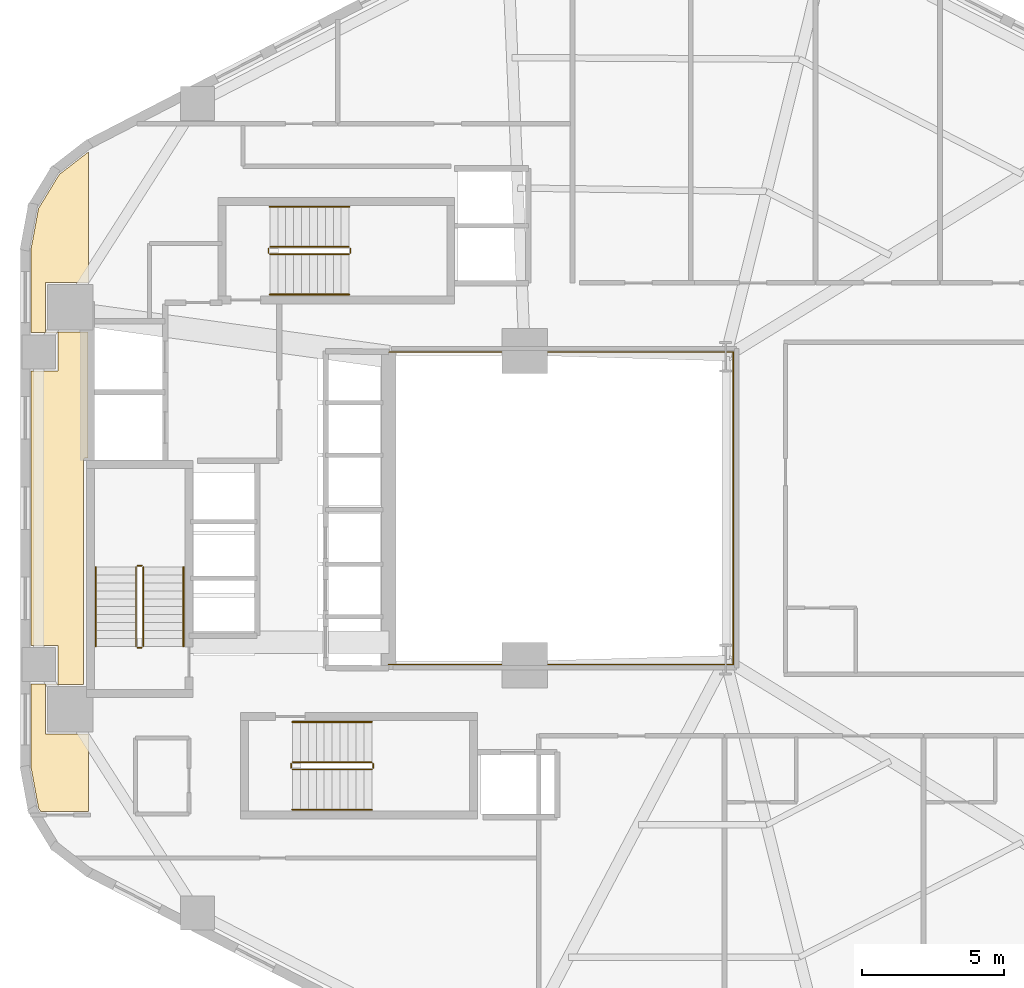
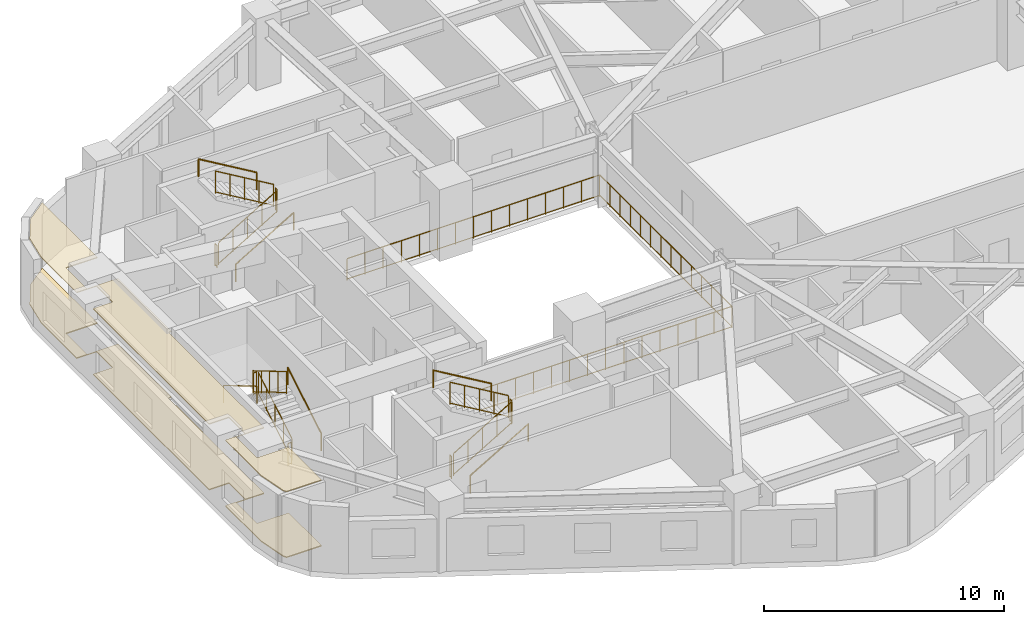
# One storey, part 7 of 7: 19 railings, 2 coverings.
"""IFC4 building model written with IfcOpenShell, lengths in metres."""

from ifc_helpers import new_model, si_unit, direction, frame, origin, origin_2d, place, context, subcontext, project, spatial, polyline, circle, outline, extrude, material, layer, layer_set, type_object, element, save


model = new_model("IFC4")

# Units and contexts
model_context = context("Model", 3, precision=1e-05, world=origin(), true_north=direction((0.0, 1.0)))
body_context = subcontext(model_context, "Body", "Model", "MODEL_VIEW")
ifc_project = project(units=[si_unit("LENGTHUNIT", "METRE"), si_unit("AREAUNIT", "SQUARE_METRE"), si_unit("VOLUMEUNIT", "CUBIC_METRE"), si_unit("PLANEANGLEUNIT", "RADIAN"), si_unit("MASSUNIT", "GRAM", prefix="KILO"), si_unit("THERMODYNAMICTEMPERATUREUNIT", "KELVIN"), si_unit("POWERUNIT", "WATT")], contexts=[model_context])

# Site, building, storey
site_placement = place(None, origin())
site = spatial("IfcSite", under=ifc_project, at=site_placement, CompositionType="ELEMENT")
building_placement = place(site_placement, origin())
building = spatial("IfcBuilding", under=site, at=building_placement, Name="Skarre Station Tower", CompositionType="ELEMENT")
storey_placement = place(building_placement, frame((0.0, 0.0, 85.39990234375)))
storey = spatial("IfcBuildingStorey", under=building, at=storey_placement, Name="L22", CompositionType="ELEMENT", Elevation=85.39990234375)

# Railing
ifc_material_1 = material(Name="Bronze Anodized Steel & Laminated Glass Balustrade", Category="steel")
railing_type_1 = type_object("IfcRailingType", Name="Atrium Void & Mezzanine Guard Balustrade 1120", PredefinedType="GUARDRAIL", material=ifc_material_1)
railing_1_placement = place(storey_placement, frame((27.550048828125, 18.47998046875, 0.0)))
element("IfcRailing", 1, at=railing_1_placement, inside=storey, type_object=railing_type_1, Name="L22 Atrium Void Guard Balustrade", PredefinedType="GUARDRAIL", context=body_context, shape_type="SweptSolid", body=[
    extrude(circle(Radius=0.02392578125, at=origin_2d()), frame((0.0, 0.0, 1.09619140625), z_axis=(1.0, 0.0, 0.0), x_axis=(0.0, 1.0, 0.0)), (0.0, 0.0, 1.0), 12.169921875),
    extrude(circle(Radius=0.02099609375, at=origin_2d()), frame((0.0, 0.0, 0.06005859375), z_axis=(1.0, 0.0, 0.0), x_axis=(0.0, 1.0, 0.0)), (0.0, 0.0, 1.0), 12.169921875),
    extrude(circle(Radius=0.02392578125, at=origin_2d()), frame((12.169921875, 0.0, 1.09619140625), z_axis=(0.0, 1.0, 0.0), x_axis=(-1.0, 0.0, 0.0)), (0.0, 0.0, 1.0), 11.0400390625),
    extrude(circle(Radius=0.02099609375, at=origin_2d()), frame((12.169921875, 0.0, 0.06005859375), z_axis=(0.0, 1.0, 0.0), x_axis=(-1.0, 0.0, 0.0)), (0.0, 0.0, 1.0), 11.0400390625),
    extrude(circle(Radius=0.02392578125, at=origin_2d()), frame((12.169921875, 11.0400390625, 1.09619140625), z_axis=(-1.0, 0.0, 0.0), x_axis=(0.0, -1.0, 0.0)), (0.0, 0.0, 1.0), 12.169921875),
    extrude(circle(Radius=0.02099609375, at=origin_2d()), frame((12.169921875, 11.0400390625, 0.06005859375), z_axis=(-1.0, 0.0, 0.0), x_axis=(0.0, -1.0, 0.0)), (0.0, 0.0, 1.0), 12.169921875),
    extrude(circle(Radius=0.02099609375, at=origin_2d()), origin(), (0.0, 0.0, 1.0), 1.072021484375),
    extrude(circle(Radius=0.02099609375, at=origin_2d()), frame((0.869384765625, 0.0, 0.0)), (0.0, 0.0, 1.0), 1.072021484375),
    extrude(circle(Radius=0.02099609375, at=origin_2d()), frame((1.738525390625, 0.0, 0.0)), (0.0, 0.0, 1.0), 1.072021484375),
    extrude(circle(Radius=0.02099609375, at=origin_2d()), frame((2.60791015625, 0.0, 0.0)), (0.0, 0.0, 1.0), 1.072021484375),
    extrude(circle(Radius=0.02099609375, at=origin_2d()), frame((3.47705078125, 0.0, 0.0)), (0.0, 0.0, 1.0), 1.072021484375),
    extrude(circle(Radius=0.02099609375, at=origin_2d()), frame((4.346435546875, 0.0, 0.0)), (0.0, 0.0, 1.0), 1.072021484375),
    extrude(circle(Radius=0.02099609375, at=origin_2d()), frame((5.215576171875, 0.0, 0.0)), (0.0, 0.0, 1.0), 1.072021484375),
    extrude(circle(Radius=0.02099609375, at=origin_2d()), frame((6.0849609375, 0.0, 0.0)), (0.0, 0.0, 1.0), 1.072021484375),
    extrude(circle(Radius=0.02099609375, at=origin_2d()), frame((6.954345703125, 0.0, 0.0)), (0.0, 0.0, 1.0), 1.072021484375),
    extrude(circle(Radius=0.02099609375, at=origin_2d()), frame((7.823486328125, 0.0, 0.0)), (0.0, 0.0, 1.0), 1.072021484375),
    extrude(circle(Radius=0.02099609375, at=origin_2d()), frame((8.69287109375, 0.0, 0.0)), (0.0, 0.0, 1.0), 1.072021484375),
    extrude(circle(Radius=0.02099609375, at=origin_2d()), frame((9.56201171875, 0.0, 0.0)), (0.0, 0.0, 1.0), 1.072021484375),
    extrude(circle(Radius=0.02099609375, at=origin_2d()), frame((10.431396484375, 0.0, 0.0)), (0.0, 0.0, 1.0), 1.072021484375),
    extrude(circle(Radius=0.02099609375, at=origin_2d()), frame((11.300537109375, 0.0, 0.0)), (0.0, 0.0, 1.0), 1.072021484375),
    extrude(circle(Radius=0.02099609375, at=origin_2d()), frame((12.169921875, 0.0, 0.0)), (0.0, 0.0, 1.0), 1.072021484375),
    extrude(circle(Radius=0.02099609375, at=origin_2d()), frame((12.169921875, 0.84912109375, 0.0)), (0.0, 0.0, 1.0), 1.072021484375),
    extrude(circle(Radius=0.02099609375, at=origin_2d()), frame((12.169921875, 1.698486328125, 0.0)), (0.0, 0.0, 1.0), 1.072021484375),
    extrude(circle(Radius=0.02099609375, at=origin_2d()), frame((12.169921875, 2.547607421875, 0.0)), (0.0, 0.0, 1.0), 1.072021484375),
    extrude(circle(Radius=0.02099609375, at=origin_2d()), frame((12.169921875, 3.39697265625, 0.0)), (0.0, 0.0, 1.0), 1.072021484375),
    extrude(circle(Radius=0.02099609375, at=origin_2d()), frame((12.169921875, 4.24609375, 0.0)), (0.0, 0.0, 1.0), 1.072021484375),
    extrude(circle(Radius=0.02099609375, at=origin_2d()), frame((12.169921875, 5.095458984375, 0.0)), (0.0, 0.0, 1.0), 1.072021484375),
    extrude(circle(Radius=0.02099609375, at=origin_2d()), frame((12.169921875, 5.944580078125, 0.0)), (0.0, 0.0, 1.0), 1.072021484375),
    extrude(circle(Radius=0.02099609375, at=origin_2d()), frame((12.169921875, 6.7939453125, 0.0)), (0.0, 0.0, 1.0), 1.072021484375),
    extrude(circle(Radius=0.02099609375, at=origin_2d()), frame((12.169921875, 7.64306640625, 0.0)), (0.0, 0.0, 1.0), 1.072021484375),
    extrude(circle(Radius=0.02099609375, at=origin_2d()), frame((12.169921875, 8.492431640625, 0.0)), (0.0, 0.0, 1.0), 1.072021484375),
    extrude(circle(Radius=0.02099609375, at=origin_2d()), frame((12.169921875, 9.341552734375, 0.0)), (0.0, 0.0, 1.0), 1.072021484375),
    extrude(circle(Radius=0.02099609375, at=origin_2d()), frame((12.169921875, 10.19091796875, 0.0)), (0.0, 0.0, 1.0), 1.072021484375),
    extrude(circle(Radius=0.02099609375, at=origin_2d()), frame((12.169921875, 11.0400390625, 0.0)), (0.0, 0.0, 1.0), 1.072021484375),
    extrude(circle(Radius=0.02099609375, at=origin_2d()), frame((11.300537109375, 11.0400390625, 0.0)), (0.0, 0.0, 1.0), 1.072021484375),
    extrude(circle(Radius=0.02099609375, at=origin_2d()), frame((10.431396484375, 11.0400390625, 0.0)), (0.0, 0.0, 1.0), 1.072021484375),
    extrude(circle(Radius=0.02099609375, at=origin_2d()), frame((9.56201171875, 11.0400390625, 0.0)), (0.0, 0.0, 1.0), 1.072021484375),
    extrude(circle(Radius=0.02099609375, at=origin_2d()), frame((8.69287109375, 11.0400390625, 0.0)), (0.0, 0.0, 1.0), 1.072021484375),
    extrude(circle(Radius=0.02099609375, at=origin_2d()), frame((7.823486328125, 11.0400390625, 0.0)), (0.0, 0.0, 1.0), 1.072021484375),
    extrude(circle(Radius=0.02099609375, at=origin_2d()), frame((6.954345703125, 11.0400390625, 0.0)), (0.0, 0.0, 1.0), 1.072021484375),
    extrude(circle(Radius=0.02099609375, at=origin_2d()), frame((6.0849609375, 11.0400390625, 0.0)), (0.0, 0.0, 1.0), 1.072021484375),
    extrude(circle(Radius=0.02099609375, at=origin_2d()), frame((5.215576171875, 11.0400390625, 0.0)), (0.0, 0.0, 1.0), 1.072021484375),
    extrude(circle(Radius=0.02099609375, at=origin_2d()), frame((4.346435546875, 11.0400390625, 0.0)), (0.0, 0.0, 1.0), 1.072021484375),
    extrude(circle(Radius=0.02099609375, at=origin_2d()), frame((3.47705078125, 11.0400390625, 0.0)), (0.0, 0.0, 1.0), 1.072021484375),
    extrude(circle(Radius=0.02099609375, at=origin_2d()), frame((2.60791015625, 11.0400390625, 0.0)), (0.0, 0.0, 1.0), 1.072021484375),
    extrude(circle(Radius=0.02099609375, at=origin_2d()), frame((1.738525390625, 11.0400390625, 0.0)), (0.0, 0.0, 1.0), 1.072021484375),
    extrude(circle(Radius=0.02099609375, at=origin_2d()), frame((0.869384765625, 11.0400390625, 0.0)), (0.0, 0.0, 1.0), 1.072021484375),
    extrude(circle(Radius=0.02099609375, at=origin_2d()), frame((0.0, 11.0400390625, 0.0)), (0.0, 0.0, 1.0), 1.072021484375),
])

# Coverings
ifc_material_2 = material(Name="Honed Jura Limestone & Calcium-Sulfate Access Tile", Category="masonry")
ifc_layer_1 = layer(ifc_material_2, 0.050048828125, Name="Honed Jura Limestone & Calcium-Sulfate Access Tile")
ifc_layer_set_1 = layer_set([ifc_layer_1], Name="Honed Jura Limestone & Calcium-Sulfate Access Tile")
covering_type_1 = type_object("IfcCoveringType", Name="Honed Limestone & Raised Access Floor Finish 50", PredefinedType="FLOORING", material=ifc_layer_set_1)
covering_1_placement = place(storey_placement, origin())
element("IfcCovering", 2, at=covering_1_placement, inside=storey, type_object=covering_type_1, Name="L22 Limestone Access Flooring 1", PredefinedType="FLOORING", context=body_context, shape_type="SweptSolid", body=[
    extrude(outline(polyline([(16.93994140625, 36.583984375), (15.910888671875, 35.787109375), (15.178955078125, 34.5859375), (14.9169921875, 33.1669921875), (14.9169921875, 30.200927734375), (15.866943359375, 30.200927734375), (15.866943359375, 28.841064453125), (14.9169921875, 28.841064453125), (14.9169921875, 19.158935546875), (15.866943359375, 19.158935546875), (15.866943359375, 17.799072265625), (14.9169921875, 17.799072265625), (14.9169921875, 14.8330078125), (15.178955078125, 13.4140625), (15.260986328125, 13.280029296875), (16.93994140625, 13.280029296875), (16.93994140625, 16.02001953125), (15.419921875, 16.02001953125), (15.419921875, 17.780029296875), (16.77001953125, 17.780029296875), (16.77001953125, 25.699951171875), (16.77001953125, 25.7080078125), (16.77197265625, 25.716064453125), (16.77294921875, 25.722900390625), (16.77587890625, 25.73095703125), (16.779052734375, 25.738037109375), (16.782958984375, 25.743896484375), (16.7880859375, 25.7509765625), (16.79296875, 25.757080078125), (16.799072265625, 25.761962890625), (16.805908203125, 25.76708984375), (16.81201171875, 25.77099609375), (16.819091796875, 25.77392578125), (16.826904296875, 25.777099609375), (16.833984375, 25.778076171875), (16.842041015625, 25.780029296875), (16.85009765625, 25.780029296875), (16.919921875, 25.780029296875), (16.919921875, 30.219970703125), (15.419921875, 30.219970703125), (15.419921875, 31.97998046875), (16.93994140625, 31.97998046875), (16.93994140625, 36.583984375)])), origin(), (0.0, 0.0, 1.0), 0.050048828125),
])
ifc_material_3 = material(Name="Perforated Nordic Birch Veneer & Mineral Wool", Category="wood")
ifc_layer_2 = layer(ifc_material_3, 0.044921875, Name="Perforated Nordic Birch Veneer & Mineral Wool")
ifc_layer_set_2 = layer_set([ifc_layer_2], Name="Perforated Nordic Birch Veneer & Mineral Wool")
covering_type_2 = type_object("IfcCoveringType", Name="Nordic Birch Slatted Acoustic Suspended Ceiling 45", PredefinedType="CEILING", material=ifc_layer_set_2)
covering_2_placement = place(storey_placement, frame((0.0, 0.0, 3.34521484375)))
element("IfcCovering", 3, at=covering_2_placement, inside=storey, type_object=covering_type_2, Name="L22 Acoustic Birch Ceiling 1", PredefinedType="CEILING", context=body_context, shape_type="SweptSolid", body=[
    extrude(outline(polyline([(16.93994140625, 36.583984375), (15.910888671875, 35.787109375), (15.178955078125, 34.5859375), (14.9169921875, 33.1669921875), (14.9169921875, 30.200927734375), (15.866943359375, 30.200927734375), (15.866943359375, 28.841064453125), (14.9169921875, 28.841064453125), (14.9169921875, 19.158935546875), (15.866943359375, 19.158935546875), (15.866943359375, 17.799072265625), (14.9169921875, 17.799072265625), (14.9169921875, 14.8330078125), (15.178955078125, 13.4140625), (15.260986328125, 13.280029296875), (16.93994140625, 13.280029296875), (16.93994140625, 16.02001953125), (15.419921875, 16.02001953125), (15.419921875, 17.780029296875), (16.77001953125, 17.780029296875), (16.77001953125, 25.699951171875), (16.77001953125, 25.7080078125), (16.77197265625, 25.716064453125), (16.77294921875, 25.722900390625), (16.77587890625, 25.73095703125), (16.779052734375, 25.738037109375), (16.782958984375, 25.743896484375), (16.7880859375, 25.7509765625), (16.79296875, 25.757080078125), (16.799072265625, 25.761962890625), (16.805908203125, 25.76708984375), (16.81201171875, 25.77099609375), (16.819091796875, 25.77392578125), (16.826904296875, 25.777099609375), (16.833984375, 25.778076171875), (16.842041015625, 25.780029296875), (16.85009765625, 25.780029296875), (16.919921875, 25.780029296875), (16.919921875, 30.219970703125), (15.419921875, 30.219970703125), (15.419921875, 31.97998046875), (16.93994140625, 31.97998046875), (16.93994140625, 36.583984375)])), origin(), (0.0, 0.0, 1.0), 0.044921875),
])

# Railings
ifc_material_4 = material(Name="Powder-Coated Tubular Steel", Category="steel")
railing_type_2 = type_object("IfcRailingType", Name="Painted Steel Ramp & Stair Handrail 920", PredefinedType="HANDRAIL", material=ifc_material_4)
railing_2_placement = place(storey_placement, frame((20.300048828125, 19.1201171875, 0.166015625)))
element("IfcRailing", 4, at=railing_2_placement, inside=storey, type_object=railing_type_2, Name="L22 ST-1 stair handrail 1", PredefinedType="HANDRAIL", context=body_context, shape_type="SweptSolid", body=[
    extrude(circle(Radius=0.02392578125, at=origin_2d()), frame((0.0, 0.0, 0.8759765625), z_axis=(0.0, 0.860286659441, 0.509810615413), x_axis=(-1.0, 0.0, 0.0)), (0.0, 0.0, 1.0), 3.25439453125),
    extrude(circle(Radius=0.02099609375, at=origin_2d()), origin(), (0.0, 0.0, 1.0), 0.851806640625),
    extrude(circle(Radius=0.02099609375, at=origin_2d()), frame((0.0, 2.7998046875, 1.6591796875)), (0.0, 0.0, 1.0), 0.851806640625),
])
railing_3_placement = place(storey_placement, frame((17.199951171875, 21.919921875, 1.990966796875)))
element("IfcRailing", 5, at=railing_3_placement, inside=storey, type_object=railing_type_2, Name="L22 ST-1 stair handrail 2", PredefinedType="HANDRAIL", context=body_context, shape_type="SweptSolid", body=[
    extrude(circle(Radius=0.02392578125, at=origin_2d()), frame((0.0, 0.0, 0.8759765625), z_axis=(0.0, -0.860286659441, 0.509810615413), x_axis=(1.0, 0.0, 0.0)), (0.0, 0.0, 1.0), 3.25439453125),
    extrude(circle(Radius=0.02099609375, at=origin_2d()), origin(), (0.0, 0.0, 1.0), 0.851806640625),
    extrude(circle(Radius=0.02099609375, at=origin_2d()), frame((0.0, -2.7998046875, 1.6591796875)), (0.0, 0.0, 1.0), 0.851806640625),
])
railing_4_placement = place(storey_placement, frame((24.14990234375, 13.35009765625, 0.166015625)))
element("IfcRailing", 6, at=railing_4_placement, inside=storey, type_object=railing_type_2, Name="L22 ST-2 stair handrail 1", PredefinedType="HANDRAIL", context=body_context, shape_type="SweptSolid", body=[
    extrude(circle(Radius=0.02392578125, at=origin_2d()), frame((0.0, 0.0, 0.8759765625), z_axis=(0.860306154799, 0.0, 0.50977771628), x_axis=(0.0, 1.0, 0.0)), (0.0, 0.0, 1.0), 3.254638671875),
    extrude(circle(Radius=0.02099609375, at=origin_2d()), origin(), (0.0, 0.0, 1.0), 0.851806640625),
    extrude(circle(Radius=0.02099609375, at=origin_2d()), frame((2.800048828125, 0.0, 1.6591796875)), (0.0, 0.0, 1.0), 0.851806640625),
])
railing_5_placement = place(storey_placement, frame((26.949951171875, 16.449951171875, 1.990966796875)))
element("IfcRailing", 7, at=railing_5_placement, inside=storey, type_object=railing_type_2, Name="L22 ST-2 stair handrail 2", PredefinedType="HANDRAIL", context=body_context, shape_type="SweptSolid", body=[
    extrude(circle(Radius=0.02392578125, at=origin_2d()), frame((0.0, 0.0, 0.8759765625), z_axis=(-0.860306154799, 0.0, 0.50977771628), x_axis=(0.0, -1.0, 0.0)), (0.0, 0.0, 1.0), 3.254638671875),
    extrude(circle(Radius=0.02099609375, at=origin_2d()), origin(), (0.0, 0.0, 1.0), 0.851806640625),
    extrude(circle(Radius=0.02099609375, at=origin_2d()), frame((-2.800048828125, 0.0, 1.6591796875)), (0.0, 0.0, 1.0), 0.851806640625),
])
railing_6_placement = place(storey_placement, frame((23.35009765625, 31.550048828125, 0.166015625)))
element("IfcRailing", 8, at=railing_6_placement, inside=storey, type_object=railing_type_2, Name="L22 ST-3 stair handrail 1", PredefinedType="HANDRAIL", context=body_context, shape_type="SweptSolid", body=[
    extrude(circle(Radius=0.02392578125, at=origin_2d()), frame((0.0, 0.0, 0.8759765625), z_axis=(0.860286659441, 0.0, 0.509810615413), x_axis=(0.0, 1.0, 0.0)), (0.0, 0.0, 1.0), 3.25439453125),
    extrude(circle(Radius=0.02099609375, at=origin_2d()), origin(), (0.0, 0.0, 1.0), 0.851806640625),
    extrude(circle(Radius=0.02099609375, at=origin_2d()), frame((2.7998046875, 0.0, 1.6591796875)), (0.0, 0.0, 1.0), 0.851806640625),
])
railing_7_placement = place(storey_placement, frame((26.14990234375, 34.64990234375, 1.990966796875)))
element("IfcRailing", 9, at=railing_7_placement, inside=storey, type_object=railing_type_2, Name="L22 ST-3 stair handrail 2", PredefinedType="HANDRAIL", context=body_context, shape_type="SweptSolid", body=[
    extrude(circle(Radius=0.02392578125, at=origin_2d()), frame((0.0, 0.0, 0.8759765625), z_axis=(-0.860286659441, 0.0, 0.509810615413), x_axis=(0.0, -1.0, 0.0)), (0.0, 0.0, 1.0), 3.25439453125),
    extrude(circle(Radius=0.02099609375, at=origin_2d()), origin(), (0.0, 0.0, 1.0), 0.851806640625),
    extrude(circle(Radius=0.02099609375, at=origin_2d()), frame((-2.7998046875, 0.0, 1.6591796875)), (0.0, 0.0, 1.0), 0.851806640625),
])
railing_type_3 = type_object("IfcRailingType", Name="Painted Steel Stairwell Guardrail 1100", PredefinedType="GUARDRAIL", material=ifc_material_4)
railing_8_placement = place(storey_placement, frame((18.8798828125, 19.1201171875, 0.166015625)))
element("IfcRailing", 10, at=railing_8_placement, inside=storey, type_object=railing_type_3, Name="L22 ST-1 stair guard 1", PredefinedType="GUARDRAIL", context=body_context, shape_type="SweptSolid", body=[
    extrude(circle(Radius=0.02392578125, at=origin_2d()), frame((0.0, 0.0, 1.1259765625), z_axis=(0.0, 0.860286659441, 0.509810615413), x_axis=(-1.0, 0.0, 0.0)), (0.0, 0.0, 1.0), 3.25439453125),
    extrude(circle(Radius=0.02099609375, at=origin_2d()), frame((0.0, 0.0, 0.06005859375), z_axis=(0.0, 0.860286659441, 0.509810615413), x_axis=(-1.0, 0.0, 0.0)), (0.0, 0.0, 1.0), 3.25439453125),
    extrude(circle(Radius=0.02099609375, at=origin_2d()), origin(), (0.0, 0.0, 1.0), 1.101806640625),
    extrude(circle(Radius=0.02099609375, at=origin_2d()), frame((0.0, 0.699951171875, 0.414794921875)), (0.0, 0.0, 1.0), 1.101806640625),
    extrude(circle(Radius=0.02099609375, at=origin_2d()), frame((0.0, 1.39990234375, 0.82958984375)), (0.0, 0.0, 1.0), 1.101806640625),
    extrude(circle(Radius=0.02099609375, at=origin_2d()), frame((0.0, 2.099853515625, 1.244384765625)), (0.0, 0.0, 1.0), 1.101806640625),
    extrude(circle(Radius=0.02099609375, at=origin_2d()), frame((0.0, 2.7998046875, 1.6591796875)), (0.0, 0.0, 1.0), 1.101806640625),
])
railing_9_placement = place(storey_placement, frame((18.830078125, 21.969970703125, 1.8251953125)))
element("IfcRailing", 11, at=railing_9_placement, inside=storey, type_object=railing_type_3, Name="L22 ST-1 stair guard 2", PredefinedType="GUARDRAIL", context=body_context, shape_type="SweptSolid", body=[
    extrude(circle(Radius=0.02392578125, at=origin_2d()), frame((0.0, 0.0, 1.1259765625), z_axis=(-1.0, 0.0, 0.0), x_axis=(0.0, -1.0, 0.0)), (0.0, 0.0, 1.0), 0.16015625),
    extrude(circle(Radius=0.02099609375, at=origin_2d()), frame((0.0, 0.0, 0.06005859375), z_axis=(-1.0, 0.0, 0.0), x_axis=(0.0, -1.0, 0.0)), (0.0, 0.0, 1.0), 0.16015625),
    extrude(circle(Radius=0.02099609375, at=origin_2d()), origin(), (0.0, 0.0, 1.0), 1.101806640625),
    extrude(circle(Radius=0.02099609375, at=origin_2d()), frame((-0.16015625, 0.0, 0.0)), (0.0, 0.0, 1.0), 1.101806640625),
])
railing_10_placement = place(storey_placement, frame((18.6201171875, 21.919921875, 1.990966796875)))
element("IfcRailing", 12, at=railing_10_placement, inside=storey, type_object=railing_type_3, Name="L22 ST-1 stair guard 3", PredefinedType="GUARDRAIL", context=body_context, shape_type="SweptSolid", body=[
    extrude(circle(Radius=0.02392578125, at=origin_2d()), frame((0.0, 0.0, 1.1259765625), z_axis=(0.0, -0.860286659441, 0.509810615413), x_axis=(1.0, 0.0, 0.0)), (0.0, 0.0, 1.0), 3.25439453125),
    extrude(circle(Radius=0.02099609375, at=origin_2d()), frame((0.0, 0.0, 0.06005859375), z_axis=(0.0, -0.860286659441, 0.509810615413), x_axis=(1.0, 0.0, 0.0)), (0.0, 0.0, 1.0), 3.25439453125),
    extrude(circle(Radius=0.02099609375, at=origin_2d()), origin(), (0.0, 0.0, 1.0), 1.101806640625),
    extrude(circle(Radius=0.02099609375, at=origin_2d()), frame((0.0, -0.699951171875, 0.414794921875)), (0.0, 0.0, 1.0), 1.101806640625),
    extrude(circle(Radius=0.02099609375, at=origin_2d()), frame((0.0, -1.39990234375, 0.82958984375)), (0.0, 0.0, 1.0), 1.101806640625),
    extrude(circle(Radius=0.02099609375, at=origin_2d()), frame((0.0, -2.099853515625, 1.244384765625)), (0.0, 0.0, 1.0), 1.101806640625),
    extrude(circle(Radius=0.02099609375, at=origin_2d()), frame((0.0, -2.7998046875, 1.6591796875)), (0.0, 0.0, 1.0), 1.101806640625),
])
railing_11_placement = place(storey_placement, frame((18.830078125, 19.070068359375, 0.0)))
element("IfcRailing", 13, at=railing_11_placement, inside=storey, type_object=railing_type_3, Name="L22 ST-1 stair guard 4", PredefinedType="GUARDRAIL", context=body_context, shape_type="SweptSolid", body=[
    extrude(circle(Radius=0.02392578125, at=origin_2d()), frame((0.0, 0.0, 1.1259765625), z_axis=(-1.0, 0.0, 0.0), x_axis=(0.0, -1.0, 0.0)), (0.0, 0.0, 1.0), 0.16015625),
    extrude(circle(Radius=0.02099609375, at=origin_2d()), frame((0.0, 0.0, 0.06005859375), z_axis=(-1.0, 0.0, 0.0), x_axis=(0.0, -1.0, 0.0)), (0.0, 0.0, 1.0), 0.16015625),
    extrude(circle(Radius=0.02099609375, at=origin_2d()), origin(), (0.0, 0.0, 1.0), 1.101806640625),
    extrude(circle(Radius=0.02099609375, at=origin_2d()), frame((-0.16015625, 0.0, 0.0)), (0.0, 0.0, 1.0), 1.101806640625),
])
railing_12_placement = place(storey_placement, frame((24.14990234375, 14.77001953125, 0.166015625)))
element("IfcRailing", 14, at=railing_12_placement, inside=storey, type_object=railing_type_3, Name="L22 ST-2 stair guard 1", PredefinedType="GUARDRAIL", context=body_context, shape_type="SweptSolid", body=[
    extrude(circle(Radius=0.02392578125, at=origin_2d()), frame((0.0, 0.0, 1.1259765625), z_axis=(0.860306154799, 0.0, 0.50977771628), x_axis=(0.0, 1.0, 0.0)), (0.0, 0.0, 1.0), 3.254638671875),
    extrude(circle(Radius=0.02099609375, at=origin_2d()), frame((0.0, 0.0, 0.06005859375), z_axis=(0.860306154799, 0.0, 0.50977771628), x_axis=(0.0, 1.0, 0.0)), (0.0, 0.0, 1.0), 3.254638671875),
    extrude(circle(Radius=0.02099609375, at=origin_2d()), origin(), (0.0, 0.0, 1.0), 1.101806640625),
    extrude(circle(Radius=0.02099609375, at=origin_2d()), frame((0.699951171875, 0.0, 0.414794921875)), (0.0, 0.0, 1.0), 1.101806640625),
    extrude(circle(Radius=0.02099609375, at=origin_2d()), frame((1.39990234375, 0.0, 0.82958984375)), (0.0, 0.0, 1.0), 1.101806640625),
    extrude(circle(Radius=0.02099609375, at=origin_2d()), frame((2.10009765625, 0.0, 1.244384765625)), (0.0, 0.0, 1.0), 1.101806640625),
    extrude(circle(Radius=0.02099609375, at=origin_2d()), frame((2.800048828125, 0.0, 1.6591796875)), (0.0, 0.0, 1.0), 1.101806640625),
])
railing_13_placement = place(storey_placement, frame((27.0, 14.820068359375, 1.8251953125)))
element("IfcRailing", 15, at=railing_13_placement, inside=storey, type_object=railing_type_3, Name="L22 ST-2 stair guard 2", PredefinedType="GUARDRAIL", context=body_context, shape_type="SweptSolid", body=[
    extrude(circle(Radius=0.02392578125, at=origin_2d()), frame((0.0, 0.0, 1.1259765625), z_axis=(0.0, 1.0, 0.0), x_axis=(-1.0, 0.0, 0.0)), (0.0, 0.0, 1.0), 0.159912109375),
    extrude(circle(Radius=0.02099609375, at=origin_2d()), frame((0.0, 0.0, 0.06005859375), z_axis=(0.0, 1.0, 0.0), x_axis=(-1.0, 0.0, 0.0)), (0.0, 0.0, 1.0), 0.159912109375),
    extrude(circle(Radius=0.02099609375, at=origin_2d()), origin(), (0.0, 0.0, 1.0), 1.101806640625),
    extrude(circle(Radius=0.02099609375, at=origin_2d()), frame((0.0, 0.159912109375, 0.0)), (0.0, 0.0, 1.0), 1.101806640625),
])
railing_14_placement = place(storey_placement, frame((26.949951171875, 15.030029296875, 1.990966796875)))
element("IfcRailing", 16, at=railing_14_placement, inside=storey, type_object=railing_type_3, Name="L22 ST-2 stair guard 3", PredefinedType="GUARDRAIL", context=body_context, shape_type="SweptSolid", body=[
    extrude(circle(Radius=0.02392578125, at=origin_2d()), frame((0.0, 0.0, 1.1259765625), z_axis=(-0.860306154799, 0.0, 0.50977771628), x_axis=(0.0, -1.0, 0.0)), (0.0, 0.0, 1.0), 3.254638671875),
    extrude(circle(Radius=0.02099609375, at=origin_2d()), frame((0.0, 0.0, 0.06005859375), z_axis=(-0.860306154799, 0.0, 0.50977771628), x_axis=(0.0, -1.0, 0.0)), (0.0, 0.0, 1.0), 3.254638671875),
    extrude(circle(Radius=0.02099609375, at=origin_2d()), origin(), (0.0, 0.0, 1.0), 1.101806640625),
    extrude(circle(Radius=0.02099609375, at=origin_2d()), frame((-0.699951171875, 0.0, 0.414794921875)), (0.0, 0.0, 1.0), 1.101806640625),
    extrude(circle(Radius=0.02099609375, at=origin_2d()), frame((-1.39990234375, 0.0, 0.82958984375)), (0.0, 0.0, 1.0), 1.101806640625),
    extrude(circle(Radius=0.02099609375, at=origin_2d()), frame((-2.10009765625, 0.0, 1.244384765625)), (0.0, 0.0, 1.0), 1.101806640625),
    extrude(circle(Radius=0.02099609375, at=origin_2d()), frame((-2.800048828125, 0.0, 1.6591796875)), (0.0, 0.0, 1.0), 1.101806640625),
])
railing_15_placement = place(storey_placement, frame((24.10009765625, 14.820068359375, 0.0)))
element("IfcRailing", 17, at=railing_15_placement, inside=storey, type_object=railing_type_3, Name="L22 ST-2 stair guard 4", PredefinedType="GUARDRAIL", context=body_context, shape_type="SweptSolid", body=[
    extrude(circle(Radius=0.02392578125, at=origin_2d()), frame((0.0, 0.0, 1.1259765625), z_axis=(0.0, 1.0, 0.0), x_axis=(-1.0, 0.0, 0.0)), (0.0, 0.0, 1.0), 0.159912109375),
    extrude(circle(Radius=0.02099609375, at=origin_2d()), frame((0.0, 0.0, 0.06005859375), z_axis=(0.0, 1.0, 0.0), x_axis=(-1.0, 0.0, 0.0)), (0.0, 0.0, 1.0), 0.159912109375),
    extrude(circle(Radius=0.02099609375, at=origin_2d()), origin(), (0.0, 0.0, 1.0), 1.101806640625),
    extrude(circle(Radius=0.02099609375, at=origin_2d()), frame((0.0, 0.159912109375, 0.0)), (0.0, 0.0, 1.0), 1.101806640625),
])
railing_16_placement = place(storey_placement, frame((23.35009765625, 32.969970703125, 0.166015625)))
element("IfcRailing", 18, at=railing_16_placement, inside=storey, type_object=railing_type_3, Name="L22 ST-3 stair guard 1", PredefinedType="GUARDRAIL", context=body_context, shape_type="SweptSolid", body=[
    extrude(circle(Radius=0.02392578125, at=origin_2d()), frame((0.0, 0.0, 1.1259765625), z_axis=(0.860286659441, 0.0, 0.509810615413), x_axis=(0.0, 1.0, 0.0)), (0.0, 0.0, 1.0), 3.25439453125),
    extrude(circle(Radius=0.02099609375, at=origin_2d()), frame((0.0, 0.0, 0.06005859375), z_axis=(0.860286659441, 0.0, 0.509810615413), x_axis=(0.0, 1.0, 0.0)), (0.0, 0.0, 1.0), 3.25439453125),
    extrude(circle(Radius=0.02099609375, at=origin_2d()), origin(), (0.0, 0.0, 1.0), 1.101806640625),
    extrude(circle(Radius=0.02099609375, at=origin_2d()), frame((0.699951171875, 0.0, 0.414794921875)), (0.0, 0.0, 1.0), 1.101806640625),
    extrude(circle(Radius=0.02099609375, at=origin_2d()), frame((1.39990234375, 0.0, 0.82958984375)), (0.0, 0.0, 1.0), 1.101806640625),
    extrude(circle(Radius=0.02099609375, at=origin_2d()), frame((2.099853515625, 0.0, 1.244384765625)), (0.0, 0.0, 1.0), 1.101806640625),
    extrude(circle(Radius=0.02099609375, at=origin_2d()), frame((2.7998046875, 0.0, 1.6591796875)), (0.0, 0.0, 1.0), 1.101806640625),
])
railing_17_placement = place(storey_placement, frame((26.199951171875, 33.02001953125, 1.8251953125)))
element("IfcRailing", 19, at=railing_17_placement, inside=storey, type_object=railing_type_3, Name="L22 ST-3 stair guard 2", PredefinedType="GUARDRAIL", context=body_context, shape_type="SweptSolid", body=[
    extrude(circle(Radius=0.02392578125, at=origin_2d()), frame((0.0, 0.0, 1.1259765625), z_axis=(0.0, 1.0, 0.0), x_axis=(-1.0, 0.0, 0.0)), (0.0, 0.0, 1.0), 0.159912109375),
    extrude(circle(Radius=0.02099609375, at=origin_2d()), frame((0.0, 0.0, 0.06005859375), z_axis=(0.0, 1.0, 0.0), x_axis=(-1.0, 0.0, 0.0)), (0.0, 0.0, 1.0), 0.159912109375),
    extrude(circle(Radius=0.02099609375, at=origin_2d()), origin(), (0.0, 0.0, 1.0), 1.101806640625),
    extrude(circle(Radius=0.02099609375, at=origin_2d()), frame((0.0, 0.159912109375, 0.0)), (0.0, 0.0, 1.0), 1.101806640625),
])
railing_18_placement = place(storey_placement, frame((26.14990234375, 33.22998046875, 1.990966796875)))
element("IfcRailing", 20, at=railing_18_placement, inside=storey, type_object=railing_type_3, Name="L22 ST-3 stair guard 3", PredefinedType="GUARDRAIL", context=body_context, shape_type="SweptSolid", body=[
    extrude(circle(Radius=0.02392578125, at=origin_2d()), frame((0.0, 0.0, 1.1259765625), z_axis=(-0.860286659441, 0.0, 0.509810615413), x_axis=(0.0, -1.0, 0.0)), (0.0, 0.0, 1.0), 3.25439453125),
    extrude(circle(Radius=0.02099609375, at=origin_2d()), frame((0.0, 0.0, 0.06005859375), z_axis=(-0.860286659441, 0.0, 0.509810615413), x_axis=(0.0, -1.0, 0.0)), (0.0, 0.0, 1.0), 3.25439453125),
    extrude(circle(Radius=0.02099609375, at=origin_2d()), origin(), (0.0, 0.0, 1.0), 1.101806640625),
    extrude(circle(Radius=0.02099609375, at=origin_2d()), frame((-0.699951171875, 0.0, 0.414794921875)), (0.0, 0.0, 1.0), 1.101806640625),
    extrude(circle(Radius=0.02099609375, at=origin_2d()), frame((-1.39990234375, 0.0, 0.82958984375)), (0.0, 0.0, 1.0), 1.101806640625),
    extrude(circle(Radius=0.02099609375, at=origin_2d()), frame((-2.099853515625, 0.0, 1.244384765625)), (0.0, 0.0, 1.0), 1.101806640625),
    extrude(circle(Radius=0.02099609375, at=origin_2d()), frame((-2.7998046875, 0.0, 1.6591796875)), (0.0, 0.0, 1.0), 1.101806640625),
])
railing_19_placement = place(storey_placement, frame((23.300048828125, 33.02001953125, 0.0)))
element("IfcRailing", 21, at=railing_19_placement, inside=storey, type_object=railing_type_3, Name="L22 ST-3 stair guard 4", PredefinedType="GUARDRAIL", context=body_context, shape_type="SweptSolid", body=[
    extrude(circle(Radius=0.02392578125, at=origin_2d()), frame((0.0, 0.0, 1.1259765625), z_axis=(0.0, 1.0, 0.0), x_axis=(-1.0, 0.0, 0.0)), (0.0, 0.0, 1.0), 0.159912109375),
    extrude(circle(Radius=0.02099609375, at=origin_2d()), frame((0.0, 0.0, 0.06005859375), z_axis=(0.0, 1.0, 0.0), x_axis=(-1.0, 0.0, 0.0)), (0.0, 0.0, 1.0), 0.159912109375),
    extrude(circle(Radius=0.02099609375, at=origin_2d()), origin(), (0.0, 0.0, 1.0), 1.101806640625),
    extrude(circle(Radius=0.02099609375, at=origin_2d()), frame((0.0, 0.159912109375, 0.0)), (0.0, 0.0, 1.0), 1.101806640625),
])

save(model, "model.ifc")
